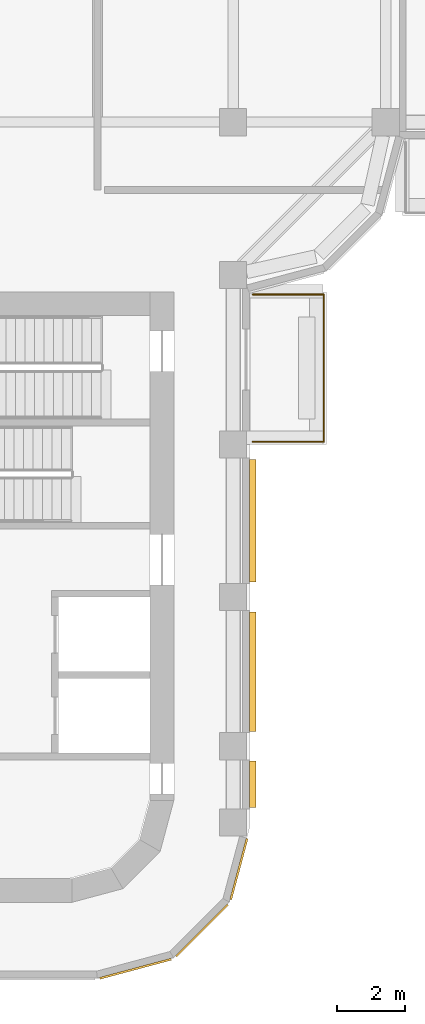
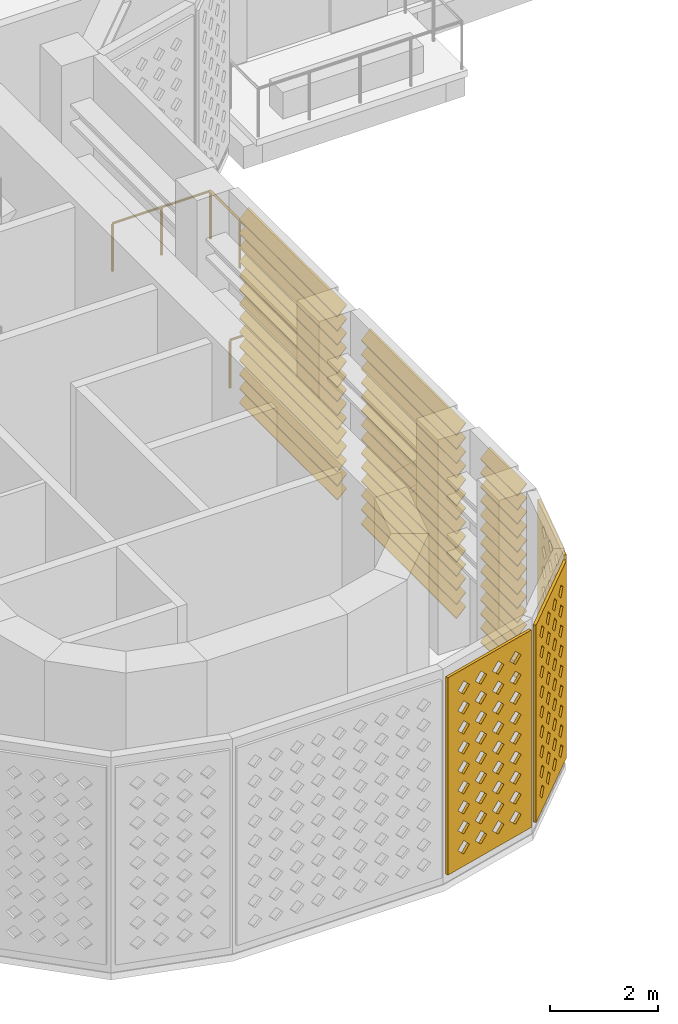
# One storey, part 13 of 21: 3 coverings, 3 shading devices, 1 railing.
"""IFC4 building model written with IfcOpenShell, lengths in metres."""

from ifc_helpers import new_model, si_unit, direction, frame, origin, origin_2d, place, context, subcontext, project, spatial, polyline, circle, outline, extrude, source, transform, mapped, material, layer, layer_set, type_object, element, save


model = new_model("IFC4")

# Units and contexts
model_context = context("Model", 3, precision=1e-05, world=origin(), true_north=direction((0.0, 1.0)))
body_context = subcontext(model_context, "Body", "Model", "MODEL_VIEW")
ifc_project = project(units=[si_unit("LENGTHUNIT", "METRE"), si_unit("AREAUNIT", "SQUARE_METRE"), si_unit("VOLUMEUNIT", "CUBIC_METRE"), si_unit("PLANEANGLEUNIT", "RADIAN"), si_unit("MASSUNIT", "GRAM", prefix="KILO")], contexts=[model_context])

# Site, building, storey
site_placement = place(None, origin())
site = spatial("IfcSite", under=ifc_project, at=site_placement, CompositionType="ELEMENT")
building_placement = place(site_placement, origin())
building = spatial("IfcBuilding", under=site, at=building_placement, Name="Zarbagh Exchange Tower", CompositionType="ELEMENT")
storey_placement = place(building_placement, frame((0.0, 0.0, 190.39990234375)))
storey = spatial("IfcBuildingStorey", under=building, at=storey_placement, Name="L46", CompositionType="ELEMENT", Elevation=190.39990234375)

# Railing
ifc_material_1 = material(Name="Stainless steel and laminated glass", Category="steel")
railing_type = type_object("IfcRailingType", Name="Terrace guard, glass balustrade 1.1 m", PredefinedType="GUARDRAIL", material=ifc_material_1)
railing_placement = place(storey_placement, frame((6.830078125, -11.330078125, 0.0)))
element("IfcRailing", 1, at=railing_placement, inside=storey, type_object=railing_type, Name="TG01 terrace guard", PredefinedType="GUARDRAIL", context=body_context, shape_type="SweptSolid", body=[
    extrude(circle(Radius=0.02490234375, at=origin_2d()), frame((0.0, 0.0, 1.0751953125), z_axis=(1.0, 0.0, 0.0), x_axis=(0.0, 1.0, 0.0)), (0.0, 0.0, 1.0), 2.08984375),
    extrude(circle(Radius=0.02490234375, at=origin_2d()), frame((2.08984375, 0.0, 1.0751953125), z_axis=(0.0, -1.0, 0.0), x_axis=(1.0, 0.0, 0.0)), (0.0, 0.0, 1.0), 4.33984375),
    extrude(circle(Radius=0.02490234375, at=origin_2d()), frame((2.08984375, -4.33984375, 1.0751953125), z_axis=(-1.0, 0.0, 0.0), x_axis=(0.0, -1.0, 0.0)), (0.0, 0.0, 1.0), 2.08984375),
    extrude(circle(Radius=0.02490234375, at=origin_2d()), origin(), (0.0, 0.0, 1.0), 1.050048828125),
    extrude(circle(Radius=0.02490234375, at=origin_2d()), frame((1.044921875, 0.0, 0.0)), (0.0, 0.0, 1.0), 1.050048828125),
    extrude(circle(Radius=0.02490234375, at=origin_2d()), frame((2.08984375, 0.0, 0.0)), (0.0, 0.0, 1.0), 1.050048828125),
    extrude(circle(Radius=0.02490234375, at=origin_2d()), frame((2.08984375, -1.0849609375, 0.0)), (0.0, 0.0, 1.0), 1.050048828125),
    extrude(circle(Radius=0.02490234375, at=origin_2d()), frame((2.08984375, -2.169921875, 0.0)), (0.0, 0.0, 1.0), 1.050048828125),
    extrude(circle(Radius=0.02490234375, at=origin_2d()), frame((2.08984375, -3.2548828125, 0.0)), (0.0, 0.0, 1.0), 1.050048828125),
    extrude(circle(Radius=0.02490234375, at=origin_2d()), frame((2.08984375, -4.33984375, 0.0)), (0.0, 0.0, 1.0), 1.050048828125),
    extrude(circle(Radius=0.02490234375, at=origin_2d()), frame((1.044921875, -4.33984375, 0.0)), (0.0, 0.0, 1.0), 1.050048828125),
    extrude(circle(Radius=0.02490234375, at=origin_2d()), frame((0.0, -4.33984375, 0.0)), (0.0, 0.0, 1.0), 1.050048828125),
])

# Coverings
ifc_material_2 = material(Name="Glass-fibre reinforced concrete GFRC C50/60", Category="concrete")
ifc_layer = layer(ifc_material_2, 0.06005859375)
ifc_layer_set = layer_set([ifc_layer], Name="SCREEN jali panel, GFRC")
covering_type = type_object("IfcCoveringType", Name="SCREEN jali panel, GFRC", PredefinedType="CLADDING", material=ifc_layer_set)
shared_shape_1 = source(origin(), body_context, "Body", "SweptSolid", [
    extrude(outline(polyline([(0.0, 0.0), (2.1650390625, 0.0), (2.1650390625, 4.449951171875), (0.0, 4.449951171875), (0.0, 0.0)]), holes=[polyline([(0.257568359375, 0.425048828125), (0.407470703125, 0.27490234375), (0.5576171875, 0.425048828125), (0.407470703125, 0.574951171875), (0.257568359375, 0.425048828125)]), polyline([(0.257568359375, 0.875), (0.407470703125, 0.72509765625), (0.5576171875, 0.875), (0.407470703125, 1.02490234375), (0.257568359375, 0.875)]), polyline([(0.257568359375, 1.324951171875), (0.407470703125, 1.175048828125), (0.5576171875, 1.324951171875), (0.407470703125, 1.47509765625), (0.257568359375, 1.324951171875)]), polyline([(0.257568359375, 1.77490234375), (0.407470703125, 1.625), (0.5576171875, 1.77490234375), (0.407470703125, 1.925048828125), (0.257568359375, 1.77490234375)]), polyline([(0.257568359375, 2.22509765625), (0.407470703125, 2.074951171875), (0.5576171875, 2.22509765625), (0.407470703125, 2.375), (0.257568359375, 2.22509765625)]), polyline([(0.257568359375, 2.675048828125), (0.407470703125, 2.52490234375), (0.5576171875, 2.675048828125), (0.407470703125, 2.824951171875), (0.257568359375, 2.675048828125)]), polyline([(0.257568359375, 3.125), (0.407470703125, 2.97509765625), (0.5576171875, 3.125), (0.407470703125, 3.27490234375), (0.257568359375, 3.125)]), polyline([(0.257568359375, 3.574951171875), (0.407470703125, 3.425048828125), (0.5576171875, 3.574951171875), (0.407470703125, 3.72509765625), (0.257568359375, 3.574951171875)]), polyline([(0.257568359375, 4.02490234375), (0.407470703125, 3.875), (0.5576171875, 4.02490234375), (0.407470703125, 4.175048828125), (0.257568359375, 4.02490234375)]), polyline([(0.70751953125, 0.425048828125), (0.857421875, 0.27490234375), (1.007568359375, 0.425048828125), (0.857421875, 0.574951171875), (0.70751953125, 0.425048828125)]), polyline([(0.70751953125, 0.875), (0.857421875, 0.72509765625), (1.007568359375, 0.875), (0.857421875, 1.02490234375), (0.70751953125, 0.875)]), polyline([(0.70751953125, 1.324951171875), (0.857421875, 1.175048828125), (1.007568359375, 1.324951171875), (0.857421875, 1.47509765625), (0.70751953125, 1.324951171875)]), polyline([(0.70751953125, 1.77490234375), (0.857421875, 1.625), (1.007568359375, 1.77490234375), (0.857421875, 1.925048828125), (0.70751953125, 1.77490234375)]), polyline([(0.70751953125, 2.22509765625), (0.857421875, 2.074951171875), (1.007568359375, 2.22509765625), (0.857421875, 2.375), (0.70751953125, 2.22509765625)]), polyline([(0.70751953125, 2.675048828125), (0.857421875, 2.52490234375), (1.007568359375, 2.675048828125), (0.857421875, 2.824951171875), (0.70751953125, 2.675048828125)]), polyline([(0.70751953125, 3.125), (0.857421875, 2.97509765625), (1.007568359375, 3.125), (0.857421875, 3.27490234375), (0.70751953125, 3.125)]), polyline([(0.70751953125, 3.574951171875), (0.857421875, 3.425048828125), (1.007568359375, 3.574951171875), (0.857421875, 3.72509765625), (0.70751953125, 3.574951171875)]), polyline([(0.70751953125, 4.02490234375), (0.857421875, 3.875), (1.007568359375, 4.02490234375), (0.857421875, 4.175048828125), (0.70751953125, 4.02490234375)]), polyline([(1.157470703125, 0.425048828125), (1.3076171875, 0.27490234375), (1.45751953125, 0.425048828125), (1.3076171875, 0.574951171875), (1.157470703125, 0.425048828125)]), polyline([(1.157470703125, 0.875), (1.3076171875, 0.72509765625), (1.45751953125, 0.875), (1.3076171875, 1.02490234375), (1.157470703125, 0.875)]), polyline([(1.157470703125, 1.324951171875), (1.3076171875, 1.175048828125), (1.45751953125, 1.324951171875), (1.3076171875, 1.47509765625), (1.157470703125, 1.324951171875)]), polyline([(1.157470703125, 1.77490234375), (1.3076171875, 1.625), (1.45751953125, 1.77490234375), (1.3076171875, 1.925048828125), (1.157470703125, 1.77490234375)]), polyline([(1.157470703125, 2.22509765625), (1.3076171875, 2.074951171875), (1.45751953125, 2.22509765625), (1.3076171875, 2.375), (1.157470703125, 2.22509765625)]), polyline([(1.157470703125, 2.675048828125), (1.3076171875, 2.52490234375), (1.45751953125, 2.675048828125), (1.3076171875, 2.824951171875), (1.157470703125, 2.675048828125)]), polyline([(1.157470703125, 3.125), (1.3076171875, 2.97509765625), (1.45751953125, 3.125), (1.3076171875, 3.27490234375), (1.157470703125, 3.125)]), polyline([(1.157470703125, 3.574951171875), (1.3076171875, 3.425048828125), (1.45751953125, 3.574951171875), (1.3076171875, 3.72509765625), (1.157470703125, 3.574951171875)]), polyline([(1.157470703125, 4.02490234375), (1.3076171875, 3.875), (1.45751953125, 4.02490234375), (1.3076171875, 4.175048828125), (1.157470703125, 4.02490234375)]), polyline([(1.607421875, 0.425048828125), (1.757568359375, 0.27490234375), (1.907470703125, 0.425048828125), (1.757568359375, 0.574951171875), (1.607421875, 0.425048828125)]), polyline([(1.607421875, 0.875), (1.757568359375, 0.72509765625), (1.907470703125, 0.875), (1.757568359375, 1.02490234375), (1.607421875, 0.875)]), polyline([(1.607421875, 1.324951171875), (1.757568359375, 1.175048828125), (1.907470703125, 1.324951171875), (1.757568359375, 1.47509765625), (1.607421875, 1.324951171875)]), polyline([(1.607421875, 1.77490234375), (1.757568359375, 1.625), (1.907470703125, 1.77490234375), (1.757568359375, 1.925048828125), (1.607421875, 1.77490234375)]), polyline([(1.607421875, 2.22509765625), (1.757568359375, 2.074951171875), (1.907470703125, 2.22509765625), (1.757568359375, 2.375), (1.607421875, 2.22509765625)]), polyline([(1.607421875, 2.675048828125), (1.757568359375, 2.52490234375), (1.907470703125, 2.675048828125), (1.757568359375, 2.824951171875), (1.607421875, 2.675048828125)]), polyline([(1.607421875, 3.125), (1.757568359375, 2.97509765625), (1.907470703125, 3.125), (1.757568359375, 3.27490234375), (1.607421875, 3.125)]), polyline([(1.607421875, 3.574951171875), (1.757568359375, 3.425048828125), (1.907470703125, 3.574951171875), (1.757568359375, 3.72509765625), (1.607421875, 3.574951171875)]), polyline([(1.607421875, 4.02490234375), (1.757568359375, 3.875), (1.907470703125, 4.02490234375), (1.757568359375, 4.175048828125), (1.607421875, 4.02490234375)])]), origin(), (0.0, 0.0, 1.0), 0.06005859375),
])
placement = place(storey_placement, origin())
element("IfcCovering", 2, at=placement, inside=storey, type_object=covering_type, Name="JS56 jali screen", PredefinedType="CLADDING", context=body_context, shape_type="MappedRepresentation", body=[
    mapped(shared_shape_1, transform((4.5439453125, -30.824951171875, 0.2001953125), x_axis=(0.707106781187, 0.707106781187, 0.0), y_axis=(0.0, 0.0, 1.0), z_axis=(0.707106781187, -0.707106781187, 0.0))),
])
shared_shape_2 = source(origin(), body_context, "Body", "SweptSolid", [
    extrude(outline(polyline([(0.0, 0.0), (2.181396484375, 0.0), (2.181396484375, 4.449951171875), (0.0, 4.449951171875), (0.0, 0.0)]), holes=[polyline([(0.265625, 0.425048828125), (0.415771484375, 0.27490234375), (0.565673828125, 0.425048828125), (0.415771484375, 0.574951171875), (0.265625, 0.425048828125)]), polyline([(0.265625, 0.875), (0.415771484375, 0.72509765625), (0.565673828125, 0.875), (0.415771484375, 1.02490234375), (0.265625, 0.875)]), polyline([(0.265625, 1.324951171875), (0.415771484375, 1.175048828125), (0.565673828125, 1.324951171875), (0.415771484375, 1.47509765625), (0.265625, 1.324951171875)]), polyline([(0.265625, 1.77490234375), (0.415771484375, 1.625), (0.565673828125, 1.77490234375), (0.415771484375, 1.925048828125), (0.265625, 1.77490234375)]), polyline([(0.265625, 2.22509765625), (0.415771484375, 2.074951171875), (0.565673828125, 2.22509765625), (0.415771484375, 2.375), (0.265625, 2.22509765625)]), polyline([(0.265625, 2.675048828125), (0.415771484375, 2.52490234375), (0.565673828125, 2.675048828125), (0.415771484375, 2.824951171875), (0.265625, 2.675048828125)]), polyline([(0.265625, 3.125), (0.415771484375, 2.97509765625), (0.565673828125, 3.125), (0.415771484375, 3.27490234375), (0.265625, 3.125)]), polyline([(0.265625, 3.574951171875), (0.415771484375, 3.425048828125), (0.565673828125, 3.574951171875), (0.415771484375, 3.72509765625), (0.265625, 3.574951171875)]), polyline([(0.265625, 4.02490234375), (0.415771484375, 3.875), (0.565673828125, 4.02490234375), (0.415771484375, 4.175048828125), (0.265625, 4.02490234375)]), polyline([(0.7158203125, 0.425048828125), (0.86572265625, 0.27490234375), (1.015625, 0.425048828125), (0.86572265625, 0.574951171875), (0.7158203125, 0.425048828125)]), polyline([(0.7158203125, 0.875), (0.86572265625, 0.72509765625), (1.015625, 0.875), (0.86572265625, 1.02490234375), (0.7158203125, 0.875)]), polyline([(0.7158203125, 1.324951171875), (0.86572265625, 1.175048828125), (1.015625, 1.324951171875), (0.86572265625, 1.47509765625), (0.7158203125, 1.324951171875)]), polyline([(0.7158203125, 1.77490234375), (0.86572265625, 1.625), (1.015625, 1.77490234375), (0.86572265625, 1.925048828125), (0.7158203125, 1.77490234375)]), polyline([(0.7158203125, 2.22509765625), (0.86572265625, 2.074951171875), (1.015625, 2.22509765625), (0.86572265625, 2.375), (0.7158203125, 2.22509765625)]), polyline([(0.7158203125, 2.675048828125), (0.86572265625, 2.52490234375), (1.015625, 2.675048828125), (0.86572265625, 2.824951171875), (0.7158203125, 2.675048828125)]), polyline([(0.7158203125, 3.125), (0.86572265625, 2.97509765625), (1.015625, 3.125), (0.86572265625, 3.27490234375), (0.7158203125, 3.125)]), polyline([(0.7158203125, 3.574951171875), (0.86572265625, 3.425048828125), (1.015625, 3.574951171875), (0.86572265625, 3.72509765625), (0.7158203125, 3.574951171875)]), polyline([(0.7158203125, 4.02490234375), (0.86572265625, 3.875), (1.015625, 4.02490234375), (0.86572265625, 4.175048828125), (0.7158203125, 4.02490234375)]), polyline([(1.165771484375, 0.425048828125), (1.315673828125, 0.27490234375), (1.4658203125, 0.425048828125), (1.315673828125, 0.574951171875), (1.165771484375, 0.425048828125)]), polyline([(1.165771484375, 0.875), (1.315673828125, 0.72509765625), (1.4658203125, 0.875), (1.315673828125, 1.02490234375), (1.165771484375, 0.875)]), polyline([(1.165771484375, 1.324951171875), (1.315673828125, 1.175048828125), (1.4658203125, 1.324951171875), (1.315673828125, 1.47509765625), (1.165771484375, 1.324951171875)]), polyline([(1.165771484375, 1.77490234375), (1.315673828125, 1.625), (1.4658203125, 1.77490234375), (1.315673828125, 1.925048828125), (1.165771484375, 1.77490234375)]), polyline([(1.165771484375, 2.22509765625), (1.315673828125, 2.074951171875), (1.4658203125, 2.22509765625), (1.315673828125, 2.375), (1.165771484375, 2.22509765625)]), polyline([(1.165771484375, 2.675048828125), (1.315673828125, 2.52490234375), (1.4658203125, 2.675048828125), (1.315673828125, 2.824951171875), (1.165771484375, 2.675048828125)]), polyline([(1.165771484375, 3.125), (1.315673828125, 2.97509765625), (1.4658203125, 3.125), (1.315673828125, 3.27490234375), (1.165771484375, 3.125)]), polyline([(1.165771484375, 3.574951171875), (1.315673828125, 3.425048828125), (1.4658203125, 3.574951171875), (1.315673828125, 3.72509765625), (1.165771484375, 3.574951171875)]), polyline([(1.165771484375, 4.02490234375), (1.315673828125, 3.875), (1.4658203125, 4.02490234375), (1.315673828125, 4.175048828125), (1.165771484375, 4.02490234375)]), polyline([(1.61572265625, 0.425048828125), (1.765625, 0.27490234375), (1.915771484375, 0.425048828125), (1.765625, 0.574951171875), (1.61572265625, 0.425048828125)]), polyline([(1.61572265625, 0.875), (1.765625, 0.72509765625), (1.915771484375, 0.875), (1.765625, 1.02490234375), (1.61572265625, 0.875)]), polyline([(1.61572265625, 1.324951171875), (1.765625, 1.175048828125), (1.915771484375, 1.324951171875), (1.765625, 1.47509765625), (1.61572265625, 1.324951171875)]), polyline([(1.61572265625, 1.77490234375), (1.765625, 1.625), (1.915771484375, 1.77490234375), (1.765625, 1.925048828125), (1.61572265625, 1.77490234375)]), polyline([(1.61572265625, 2.22509765625), (1.765625, 2.074951171875), (1.915771484375, 2.22509765625), (1.765625, 2.375), (1.61572265625, 2.22509765625)]), polyline([(1.61572265625, 2.675048828125), (1.765625, 2.52490234375), (1.915771484375, 2.675048828125), (1.765625, 2.824951171875), (1.61572265625, 2.675048828125)]), polyline([(1.61572265625, 3.125), (1.765625, 2.97509765625), (1.915771484375, 3.125), (1.765625, 3.27490234375), (1.61572265625, 3.125)]), polyline([(1.61572265625, 3.574951171875), (1.765625, 3.425048828125), (1.915771484375, 3.574951171875), (1.765625, 3.72509765625), (1.61572265625, 3.574951171875)]), polyline([(1.61572265625, 4.02490234375), (1.765625, 3.875), (1.915771484375, 4.02490234375), (1.765625, 4.175048828125), (1.61572265625, 4.02490234375)])]), origin(), (0.0, 0.0, 1.0), 0.06005859375),
])
element("IfcCovering", 3, at=placement, inside=storey, type_object=covering_type, Name="JS55 jali screen", PredefinedType="CLADDING", context=body_context, shape_type="MappedRepresentation", body=[
    mapped(shared_shape_2, transform((2.308349609375, -31.463623046875, 0.2001953125), x_axis=(0.965924215207, 0.258825057666, 0.0), y_axis=(0.0, 0.0, 1.0), z_axis=(0.258825057666, -0.965924215207, 0.0))),
])

# Shading device
ifc_material_3 = material(Name="Anodised aluminium", Category="aluminium")
shading_device_type = type_object("IfcShadingDeviceType", Name="LOUVRE plant louvre, fixed blades", PredefinedType="USERDEFINED", material=ifc_material_3)
shared_shape_3 = source(origin(), body_context, "Body", "SweptSolid", [
    extrude(outline(polyline([(0.0, 0.199951171875), (0.199951171875, 0.0), (0.199951171875, -0.02001953125), (0.0, 0.179931640625), (0.0, 0.199951171875)])), origin(), (0.0, 0.0, 1.0), 3.52001953125),
])
element("IfcShadingDevice", 4, at=placement, inside=storey, type_object=shading_device_type, Name="LV13 plant louvre", ObjectType="LOUVRE", PredefinedType="USERDEFINED", context=body_context, shape_type="MappedRepresentation", body=[
    mapped(shared_shape_3, transform((6.72998046875, -24.2099609375, 0.2001953125), x_axis=(1.0, 0.0, 0.0), y_axis=(0.0, 0.0, -1.0), z_axis=(0.0, 1.0, 0.0))),
    mapped(shared_shape_3, transform((6.72998046875, -24.2099609375, 0.51806640625), x_axis=(1.0, 0.0, 0.0), y_axis=(0.0, 0.0, -1.0), z_axis=(0.0, 1.0, 0.0))),
    mapped(shared_shape_3, transform((6.72998046875, -24.2099609375, 0.835693359375), x_axis=(1.0, 0.0, 0.0), y_axis=(0.0, 0.0, -1.0), z_axis=(0.0, 1.0, 0.0))),
    mapped(shared_shape_3, transform((6.72998046875, -24.2099609375, 1.153564453125), x_axis=(1.0, 0.0, 0.0), y_axis=(0.0, 0.0, -1.0), z_axis=(0.0, 1.0, 0.0))),
    mapped(shared_shape_3, transform((6.72998046875, -24.2099609375, 1.471435546875), x_axis=(1.0, 0.0, 0.0), y_axis=(0.0, 0.0, -1.0), z_axis=(0.0, 1.0, 0.0))),
    mapped(shared_shape_3, transform((6.72998046875, -24.2099609375, 1.789306640625), x_axis=(1.0, 0.0, 0.0), y_axis=(0.0, 0.0, -1.0), z_axis=(0.0, 1.0, 0.0))),
    mapped(shared_shape_3, transform((6.72998046875, -24.2099609375, 2.107177734375), x_axis=(1.0, 0.0, 0.0), y_axis=(0.0, 0.0, -1.0), z_axis=(0.0, 1.0, 0.0))),
    mapped(shared_shape_3, transform((6.72998046875, -24.2099609375, 2.425048828125), x_axis=(1.0, 0.0, 0.0), y_axis=(0.0, 0.0, -1.0), z_axis=(0.0, 1.0, 0.0))),
    mapped(shared_shape_3, transform((6.72998046875, -24.2099609375, 2.742919921875), x_axis=(1.0, 0.0, 0.0), y_axis=(0.0, 0.0, -1.0), z_axis=(0.0, 1.0, 0.0))),
    mapped(shared_shape_3, transform((6.72998046875, -24.2099609375, 3.060791015625), x_axis=(1.0, 0.0, 0.0), y_axis=(0.0, 0.0, -1.0), z_axis=(0.0, 1.0, 0.0))),
    mapped(shared_shape_3, transform((6.72998046875, -24.2099609375, 3.378662109375), x_axis=(1.0, 0.0, 0.0), y_axis=(0.0, 0.0, -1.0), z_axis=(0.0, 1.0, 0.0))),
    mapped(shared_shape_3, transform((6.72998046875, -24.2099609375, 3.696533203125), x_axis=(1.0, 0.0, 0.0), y_axis=(0.0, 0.0, -1.0), z_axis=(0.0, 1.0, 0.0))),
    mapped(shared_shape_3, transform((6.72998046875, -24.2099609375, 4.014404296875), x_axis=(1.0, 0.0, 0.0), y_axis=(0.0, 0.0, -1.0), z_axis=(0.0, 1.0, 0.0))),
    mapped(shared_shape_3, transform((6.72998046875, -24.2099609375, 4.332275390625), x_axis=(1.0, 0.0, 0.0), y_axis=(0.0, 0.0, -1.0), z_axis=(0.0, 1.0, 0.0))),
])

# Covering
shared_shape_4 = source(origin(), body_context, "Body", "SweptSolid", [
    extrude(outline(polyline([(0.0, 0.0), (1.863037109375, 0.0), (1.863037109375, 4.449951171875), (0.0, 4.449951171875), (0.0, 0.0)]), holes=[polyline([(0.33154296875, 0.425048828125), (0.4814453125, 0.27490234375), (0.631591796875, 0.425048828125), (0.4814453125, 0.574951171875), (0.33154296875, 0.425048828125)]), polyline([(0.33154296875, 0.875), (0.4814453125, 0.72509765625), (0.631591796875, 0.875), (0.4814453125, 1.02490234375), (0.33154296875, 0.875)]), polyline([(0.33154296875, 1.324951171875), (0.4814453125, 1.175048828125), (0.631591796875, 1.324951171875), (0.4814453125, 1.47509765625), (0.33154296875, 1.324951171875)]), polyline([(0.33154296875, 1.77490234375), (0.4814453125, 1.625), (0.631591796875, 1.77490234375), (0.4814453125, 1.925048828125), (0.33154296875, 1.77490234375)]), polyline([(0.33154296875, 2.22509765625), (0.4814453125, 2.074951171875), (0.631591796875, 2.22509765625), (0.4814453125, 2.375), (0.33154296875, 2.22509765625)]), polyline([(0.33154296875, 2.675048828125), (0.4814453125, 2.52490234375), (0.631591796875, 2.675048828125), (0.4814453125, 2.824951171875), (0.33154296875, 2.675048828125)]), polyline([(0.33154296875, 3.125), (0.4814453125, 2.97509765625), (0.631591796875, 3.125), (0.4814453125, 3.27490234375), (0.33154296875, 3.125)]), polyline([(0.33154296875, 3.574951171875), (0.4814453125, 3.425048828125), (0.631591796875, 3.574951171875), (0.4814453125, 3.72509765625), (0.33154296875, 3.574951171875)]), polyline([(0.33154296875, 4.02490234375), (0.4814453125, 3.875), (0.631591796875, 4.02490234375), (0.4814453125, 4.175048828125), (0.33154296875, 4.02490234375)]), polyline([(0.781494140625, 0.425048828125), (0.931640625, 0.27490234375), (1.08154296875, 0.425048828125), (0.931640625, 0.574951171875), (0.781494140625, 0.425048828125)]), polyline([(0.781494140625, 0.875), (0.931640625, 0.72509765625), (1.08154296875, 0.875), (0.931640625, 1.02490234375), (0.781494140625, 0.875)]), polyline([(0.781494140625, 1.324951171875), (0.931640625, 1.175048828125), (1.08154296875, 1.324951171875), (0.931640625, 1.47509765625), (0.781494140625, 1.324951171875)]), polyline([(0.781494140625, 1.77490234375), (0.931640625, 1.625), (1.08154296875, 1.77490234375), (0.931640625, 1.925048828125), (0.781494140625, 1.77490234375)]), polyline([(0.781494140625, 2.22509765625), (0.931640625, 2.074951171875), (1.08154296875, 2.22509765625), (0.931640625, 2.375), (0.781494140625, 2.22509765625)]), polyline([(0.781494140625, 2.675048828125), (0.931640625, 2.52490234375), (1.08154296875, 2.675048828125), (0.931640625, 2.824951171875), (0.781494140625, 2.675048828125)]), polyline([(0.781494140625, 3.125), (0.931640625, 2.97509765625), (1.08154296875, 3.125), (0.931640625, 3.27490234375), (0.781494140625, 3.125)]), polyline([(0.781494140625, 3.574951171875), (0.931640625, 3.425048828125), (1.08154296875, 3.574951171875), (0.931640625, 3.72509765625), (0.781494140625, 3.574951171875)]), polyline([(0.781494140625, 4.02490234375), (0.931640625, 3.875), (1.08154296875, 4.02490234375), (0.931640625, 4.175048828125), (0.781494140625, 4.02490234375)]), polyline([(1.2314453125, 0.425048828125), (1.381591796875, 0.27490234375), (1.531494140625, 0.425048828125), (1.381591796875, 0.574951171875), (1.2314453125, 0.425048828125)]), polyline([(1.2314453125, 0.875), (1.381591796875, 0.72509765625), (1.531494140625, 0.875), (1.381591796875, 1.02490234375), (1.2314453125, 0.875)]), polyline([(1.2314453125, 1.324951171875), (1.381591796875, 1.175048828125), (1.531494140625, 1.324951171875), (1.381591796875, 1.47509765625), (1.2314453125, 1.324951171875)]), polyline([(1.2314453125, 1.77490234375), (1.381591796875, 1.625), (1.531494140625, 1.77490234375), (1.381591796875, 1.925048828125), (1.2314453125, 1.77490234375)]), polyline([(1.2314453125, 2.22509765625), (1.381591796875, 2.074951171875), (1.531494140625, 2.22509765625), (1.381591796875, 2.375), (1.2314453125, 2.22509765625)]), polyline([(1.2314453125, 2.675048828125), (1.381591796875, 2.52490234375), (1.531494140625, 2.675048828125), (1.381591796875, 2.824951171875), (1.2314453125, 2.675048828125)]), polyline([(1.2314453125, 3.125), (1.381591796875, 2.97509765625), (1.531494140625, 3.125), (1.381591796875, 3.27490234375), (1.2314453125, 3.125)]), polyline([(1.2314453125, 3.574951171875), (1.381591796875, 3.425048828125), (1.531494140625, 3.574951171875), (1.381591796875, 3.72509765625), (1.2314453125, 3.574951171875)]), polyline([(1.2314453125, 4.02490234375), (1.381591796875, 3.875), (1.531494140625, 4.02490234375), (1.381591796875, 4.175048828125), (1.2314453125, 4.02490234375)])]), origin(), (0.0, 0.0, 1.0), 0.06005859375),
])
element("IfcCovering", 5, at=placement, inside=storey, type_object=covering_type, Name="JS57 jali screen", PredefinedType="CLADDING", context=body_context, shape_type="MappedRepresentation", body=[
    mapped(shared_shape_4, transform((6.14892578125, -29.16552734375, 0.2001953125), x_axis=(0.258825057666, 0.965924215207, 0.0), y_axis=(0.0, 0.0, 1.0), z_axis=(0.965924215207, -0.258825057666, 0.0))),
])

# Shading devices
shared_shape_5 = source(origin(), body_context, "Body", "SweptSolid", [
    extrude(outline(polyline([(0.0, 0.199951171875), (0.199951171875, 0.0), (0.199951171875, -0.02001953125), (0.0, 0.179931640625), (0.0, 0.199951171875)])), origin(), (0.0, 0.0, 1.0), 1.3701171875),
])
element("IfcShadingDevice", 6, at=placement, inside=storey, type_object=shading_device_type, Name="LV13 plant louvre", ObjectType="LOUVRE", PredefinedType="USERDEFINED", context=body_context, shape_type="MappedRepresentation", body=[
    mapped(shared_shape_5, transform((6.72998046875, -26.4599609375, 0.2001953125), x_axis=(1.0, 0.0, 0.0), y_axis=(0.0, 0.0, -1.0), z_axis=(0.0, 1.0, 0.0))),
    mapped(shared_shape_5, transform((6.72998046875, -26.4599609375, 0.51806640625), x_axis=(1.0, 0.0, 0.0), y_axis=(0.0, 0.0, -1.0), z_axis=(0.0, 1.0, 0.0))),
    mapped(shared_shape_5, transform((6.72998046875, -26.4599609375, 0.835693359375), x_axis=(1.0, 0.0, 0.0), y_axis=(0.0, 0.0, -1.0), z_axis=(0.0, 1.0, 0.0))),
    mapped(shared_shape_5, transform((6.72998046875, -26.4599609375, 1.153564453125), x_axis=(1.0, 0.0, 0.0), y_axis=(0.0, 0.0, -1.0), z_axis=(0.0, 1.0, 0.0))),
    mapped(shared_shape_5, transform((6.72998046875, -26.4599609375, 1.471435546875), x_axis=(1.0, 0.0, 0.0), y_axis=(0.0, 0.0, -1.0), z_axis=(0.0, 1.0, 0.0))),
    mapped(shared_shape_5, transform((6.72998046875, -26.4599609375, 1.789306640625), x_axis=(1.0, 0.0, 0.0), y_axis=(0.0, 0.0, -1.0), z_axis=(0.0, 1.0, 0.0))),
    mapped(shared_shape_5, transform((6.72998046875, -26.4599609375, 2.107177734375), x_axis=(1.0, 0.0, 0.0), y_axis=(0.0, 0.0, -1.0), z_axis=(0.0, 1.0, 0.0))),
    mapped(shared_shape_5, transform((6.72998046875, -26.4599609375, 2.425048828125), x_axis=(1.0, 0.0, 0.0), y_axis=(0.0, 0.0, -1.0), z_axis=(0.0, 1.0, 0.0))),
    mapped(shared_shape_5, transform((6.72998046875, -26.4599609375, 2.742919921875), x_axis=(1.0, 0.0, 0.0), y_axis=(0.0, 0.0, -1.0), z_axis=(0.0, 1.0, 0.0))),
    mapped(shared_shape_5, transform((6.72998046875, -26.4599609375, 3.060791015625), x_axis=(1.0, 0.0, 0.0), y_axis=(0.0, 0.0, -1.0), z_axis=(0.0, 1.0, 0.0))),
    mapped(shared_shape_5, transform((6.72998046875, -26.4599609375, 3.378662109375), x_axis=(1.0, 0.0, 0.0), y_axis=(0.0, 0.0, -1.0), z_axis=(0.0, 1.0, 0.0))),
    mapped(shared_shape_5, transform((6.72998046875, -26.4599609375, 3.696533203125), x_axis=(1.0, 0.0, 0.0), y_axis=(0.0, 0.0, -1.0), z_axis=(0.0, 1.0, 0.0))),
    mapped(shared_shape_5, transform((6.72998046875, -26.4599609375, 4.014404296875), x_axis=(1.0, 0.0, 0.0), y_axis=(0.0, 0.0, -1.0), z_axis=(0.0, 1.0, 0.0))),
    mapped(shared_shape_5, transform((6.72998046875, -26.4599609375, 4.332275390625), x_axis=(1.0, 0.0, 0.0), y_axis=(0.0, 0.0, -1.0), z_axis=(0.0, 1.0, 0.0))),
])
shared_shape_6 = source(origin(), body_context, "Body", "SweptSolid", [
    extrude(outline(polyline([(0.0, 0.199951171875), (0.199951171875, 0.0), (0.199951171875, -0.02001953125), (0.0, 0.179931640625), (0.0, 0.199951171875)])), origin(), (0.0, 0.0, 1.0), 3.6201171875),
])
element("IfcShadingDevice", 7, at=placement, inside=storey, type_object=shading_device_type, Name="LV13 plant louvre", ObjectType="LOUVRE", PredefinedType="USERDEFINED", context=body_context, shape_type="MappedRepresentation", body=[
    mapped(shared_shape_6, transform((6.72998046875, -19.81005859375, 0.2001953125), x_axis=(1.0, 0.0, 0.0), y_axis=(0.0, 0.0, -1.0), z_axis=(0.0, 1.0, 0.0))),
    mapped(shared_shape_6, transform((6.72998046875, -19.81005859375, 0.51806640625), x_axis=(1.0, 0.0, 0.0), y_axis=(0.0, 0.0, -1.0), z_axis=(0.0, 1.0, 0.0))),
    mapped(shared_shape_6, transform((6.72998046875, -19.81005859375, 0.835693359375), x_axis=(1.0, 0.0, 0.0), y_axis=(0.0, 0.0, -1.0), z_axis=(0.0, 1.0, 0.0))),
    mapped(shared_shape_6, transform((6.72998046875, -19.81005859375, 1.153564453125), x_axis=(1.0, 0.0, 0.0), y_axis=(0.0, 0.0, -1.0), z_axis=(0.0, 1.0, 0.0))),
    mapped(shared_shape_6, transform((6.72998046875, -19.81005859375, 1.471435546875), x_axis=(1.0, 0.0, 0.0), y_axis=(0.0, 0.0, -1.0), z_axis=(0.0, 1.0, 0.0))),
    mapped(shared_shape_6, transform((6.72998046875, -19.81005859375, 1.789306640625), x_axis=(1.0, 0.0, 0.0), y_axis=(0.0, 0.0, -1.0), z_axis=(0.0, 1.0, 0.0))),
    mapped(shared_shape_6, transform((6.72998046875, -19.81005859375, 2.107177734375), x_axis=(1.0, 0.0, 0.0), y_axis=(0.0, 0.0, -1.0), z_axis=(0.0, 1.0, 0.0))),
    mapped(shared_shape_6, transform((6.72998046875, -19.81005859375, 2.425048828125), x_axis=(1.0, 0.0, 0.0), y_axis=(0.0, 0.0, -1.0), z_axis=(0.0, 1.0, 0.0))),
    mapped(shared_shape_6, transform((6.72998046875, -19.81005859375, 2.742919921875), x_axis=(1.0, 0.0, 0.0), y_axis=(0.0, 0.0, -1.0), z_axis=(0.0, 1.0, 0.0))),
    mapped(shared_shape_6, transform((6.72998046875, -19.81005859375, 3.060791015625), x_axis=(1.0, 0.0, 0.0), y_axis=(0.0, 0.0, -1.0), z_axis=(0.0, 1.0, 0.0))),
    mapped(shared_shape_6, transform((6.72998046875, -19.81005859375, 3.378662109375), x_axis=(1.0, 0.0, 0.0), y_axis=(0.0, 0.0, -1.0), z_axis=(0.0, 1.0, 0.0))),
    mapped(shared_shape_6, transform((6.72998046875, -19.81005859375, 3.696533203125), x_axis=(1.0, 0.0, 0.0), y_axis=(0.0, 0.0, -1.0), z_axis=(0.0, 1.0, 0.0))),
    mapped(shared_shape_6, transform((6.72998046875, -19.81005859375, 4.014404296875), x_axis=(1.0, 0.0, 0.0), y_axis=(0.0, 0.0, -1.0), z_axis=(0.0, 1.0, 0.0))),
    mapped(shared_shape_6, transform((6.72998046875, -19.81005859375, 4.332275390625), x_axis=(1.0, 0.0, 0.0), y_axis=(0.0, 0.0, -1.0), z_axis=(0.0, 1.0, 0.0))),
])

save(model, "model.ifc")
